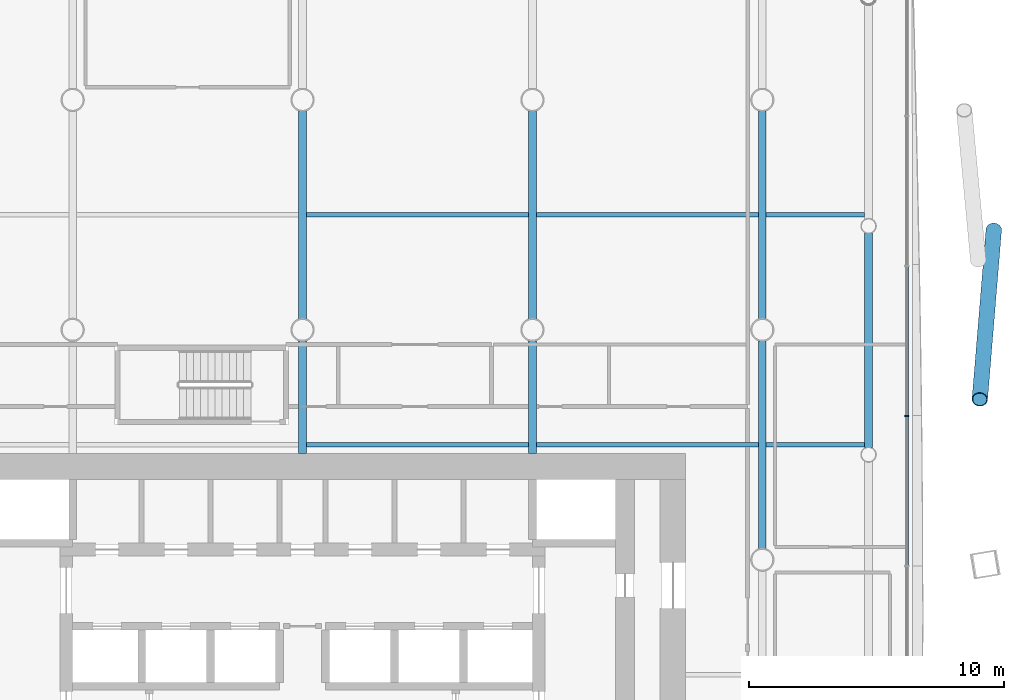
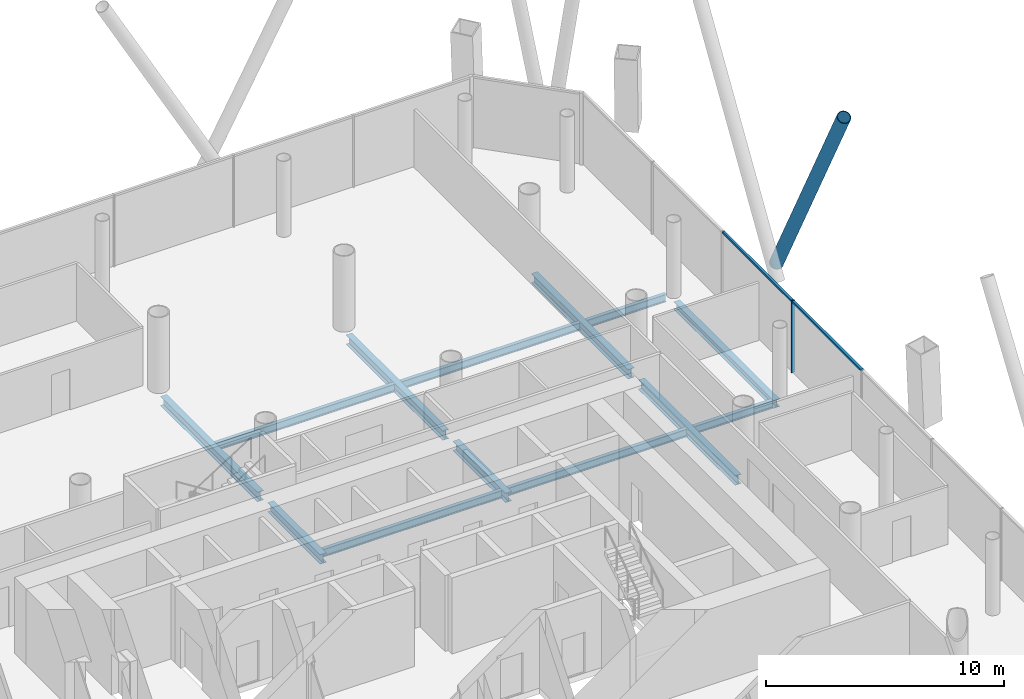
# One storey, part 13 of 25: 13 beams, 4 members, 1 element without a shape of its own.
"""IFC4 building model written with IfcOpenShell, lengths in metres."""

from ifc_helpers import new_model, si_unit, direction, frame, origin, origin_2d, place, context, subcontext, project, spatial, rectangle, hollow_circle, i_section, extrude, material, material_profile, profile_set, type_object, element, aggregate, save


model = new_model("IFC4")

# Units and contexts
model_context = context("Model", 3, precision=1e-05, world=origin(), true_north=direction((0.0, 1.0)))
body_context = subcontext(model_context, "Body", "Model", "MODEL_VIEW")
ifc_project = project(units=[si_unit("LENGTHUNIT", "METRE"), si_unit("AREAUNIT", "SQUARE_METRE"), si_unit("VOLUMEUNIT", "CUBIC_METRE"), si_unit("PLANEANGLEUNIT", "RADIAN"), si_unit("MASSUNIT", "GRAM", prefix="KILO")], contexts=[model_context])

# Site, building, storey
site_placement = place(None, origin())
site = spatial("IfcSite", under=ifc_project, at=site_placement, CompositionType="ELEMENT")
building_placement = place(site_placement, origin())
building = spatial("IfcBuilding", under=site, at=building_placement, Name="Tskaro Facet Tower", CompositionType="ELEMENT")
storey_placement = place(building_placement, frame((0.0, 0.0, 34.199951171875)))
storey = spatial("IfcBuildingStorey", under=building, at=storey_placement, Name="L07", CompositionType="ELEMENT", Elevation=34.199951171875)

# Member
ifc_material_1 = material(Name="Steel S355J2H", Category="steel")
ifc_material_profile_1 = material_profile(ifc_material_1, hollow_circle(Radius=0.304931640625, WallThickness=0.030029296875, at=origin_2d()), Name="CHS 610x30")
ifc_profile_set_1 = profile_set([ifc_material_profile_1], Name="Steel S355J2H")
member_type_1 = type_object("IfcMemberType", Name="CHS 610x30 brace", PredefinedType="BRACE", material=ifc_profile_set_1)
member_1_placement = place(storey_placement, frame((27.0595703125, 12.91162109375, 0.0), z_axis=(-0.040697983048, -0.49287361289, 0.869148592528), x_axis=(0.996608196398, -0.082292787486, 0.0)))
element("IfcMember", 1, at=member_1_placement, inside=storey, type_object=member_type_1, Name="CHS 610x30 XB05B/1", PredefinedType="BRACE", context=body_context, shape_type="SweptSolid", body=[
    extrude(hollow_circle(Radius=0.304931640625, WallThickness=0.030029296875, at=origin_2d()), origin(), (0.0, 0.0, 1.0), 13.46142578125),
])

# Curtain wall, members
ifc_material_2 = material(Name="Bronze anodised aluminium 6063-T6", Category="aluminium")
curtain_wall_type = type_object("IfcCurtainWallType", Name="Bronze office curtain wall (FW1)", PredefinedType="NOTDEFINED", material=ifc_material_2)
curtain_wall_placement = place(storey_placement, origin())
curtain_wall = element("IfcCurtainWall", 2, at=curtain_wall_placement, inside=storey, type_object=curtain_wall_type, Name="FW1 east facet L07", PredefinedType="NOTDEFINED")
ifc_material_profile_2 = material_profile(ifc_material_2, rectangle(XDim=0.06005859375, YDim=0.159912109375, at=origin_2d()), Name="Mullion 60x160")
ifc_profile_set_2 = profile_set([ifc_material_profile_2], Name="Bronze anodised aluminium 6063-T6")
member_type_2 = type_object("IfcMemberType", Name="FW1 bronze mullion 60x160", PredefinedType="MULLION", material=ifc_profile_set_2)
member_2_placement = place(storey_placement, frame((23.654052734375, 5.62939453125, 0.0), z_axis=(0.0, 0.0, 1.0), x_axis=(0.0, 1.0, 0.0)))
member_2 = element("IfcMember", 3, at=member_2_placement, type_object=member_type_2, Name="FW1 east mullion 5", PredefinedType="MULLION", context=body_context, shape_type="SweptSolid", body=[
    extrude(rectangle(XDim=0.06005859375, YDim=0.159912109375, at=origin_2d()), origin(), (0.0, 0.0, 1.0), 3.699951171875),
])
ifc_material_profile_3 = material_profile(ifc_material_2, rectangle(XDim=0.1201171875, YDim=0.10009765625, at=origin_2d()), Name="Transom 120x100")
ifc_profile_set_3 = profile_set([ifc_material_profile_3], Name="Bronze anodised aluminium 6063-T6")
member_type_3 = type_object("IfcMemberType", Name="FW1 bronze transom 120x100", PredefinedType="USERDEFINED", material=ifc_profile_set_3)
member_3_placement = place(storey_placement, frame((23.654052734375, -0.208984375, 3.650146484375), z_axis=(0.0, 1.0, 0.0), x_axis=(-1.0, 0.0, 0.0)))
member_3 = element("IfcMember", 4, at=member_3_placement, type_object=member_type_3, Name="FW1 east transom 5.1", ObjectType="TRANSOM", PredefinedType="USERDEFINED", context=body_context, shape_type="SweptSolid", body=[
    extrude(rectangle(XDim=0.1201171875, YDim=0.10009765625, at=origin_2d()), origin(), (0.0, 0.0, 1.0), 5.80859375),
])
member_4_placement = place(storey_placement, frame((23.654052734375, 5.659423828125, 3.650146484375), z_axis=(0.0, 1.0, 0.0), x_axis=(-1.0, 0.0, 0.0)))
member_4 = element("IfcMember", 5, at=member_4_placement, type_object=member_type_3, Name="FW1 east transom 6.1", ObjectType="TRANSOM", PredefinedType="USERDEFINED", context=body_context, shape_type="SweptSolid", body=[
    extrude(rectangle(XDim=0.1201171875, YDim=0.10009765625, at=origin_2d()), origin(), (0.0, 0.0, 1.0), 5.80859375),
])
aggregate(curtain_wall, [member_2, member_3, member_4])

# Beams
ifc_material_3 = material(Name="Steel S355J2", Category="steel")
ifc_material_profile_4 = material_profile(ifc_material_3, i_section(OverallWidth=0.300048828125, OverallDepth=0.39990234375, WebThickness=0.013427734375, FlangeThickness=0.02392578125, FilletRadius=0.027099609375, at=origin_2d()), Name="HE 400 B")
ifc_profile_set_4 = profile_set([ifc_material_profile_4], Name="Steel S355J2")
beam_type_1 = type_object("IfcBeamType", Name="HE 400 B ring beam", PredefinedType="BEAM", material=ifc_profile_set_4)
beam_1_placement = place(storey_placement, frame((22.156982421875, 4.39111328125, -0.33984375), z_axis=(0.0, 1.0, 0.0), x_axis=(-1.0, 0.0, 0.0)))
element("IfcBeam", 6, at=beam_1_placement, inside=storey, type_object=beam_type_1, Name="HE 400 B EB11-1", PredefinedType="BEAM", context=body_context, shape_type="SweptSolid", body=[
    extrude(i_section(OverallWidth=0.300048828125, OverallDepth=0.39990234375, WebThickness=0.013427734375, FlangeThickness=0.02392578125, FilletRadius=0.027099609375, at=origin_2d()), origin(), (0.0, 0.0, 1.0), 8.39794921875),
])
ifc_material_profile_5 = material_profile(ifc_material_3, i_section(OverallWidth=0.300048828125, OverallDepth=0.489990234375, WebThickness=0.011962890625, FlangeThickness=0.02294921875, FilletRadius=0.027099609375, at=origin_2d()), Name="HE 500 A")
ifc_profile_set_5 = profile_set([ifc_material_profile_5], Name="Steel S355J2")
beam_type_2 = type_object("IfcBeamType", Name="HE 500 A girder", PredefinedType="BEAM", material=ifc_profile_set_5)
beam_2_placement = place(storey_placement, frame((0.0, 4.14990234375, -0.385009765625), z_axis=(0.0, 1.0, 0.0), x_axis=(-1.0, 0.0, 0.0)))
element("IfcBeam", 7, at=beam_2_placement, inside=storey, type_object=beam_type_2, Name="HE 500 A GB4-3-1", PredefinedType="BEAM", context=body_context, shape_type="SweptSolid", body=[
    extrude(i_section(OverallWidth=0.300048828125, OverallDepth=0.489990234375, WebThickness=0.011962890625, FlangeThickness=0.02294921875, FilletRadius=0.027099609375, at=origin_2d()), origin(), (0.0, 0.0, 1.0), 4.4228515625),
])
beam_3_placement = place(storey_placement, frame((0.0, 9.42724609375, -0.385009765625), z_axis=(0.0, 1.0, 0.0), x_axis=(-1.0, 0.0, 0.0)))
element("IfcBeam", 8, at=beam_3_placement, inside=storey, type_object=beam_type_2, Name="HE 500 A GB4-4-1", PredefinedType="BEAM", context=body_context, shape_type="SweptSolid", body=[
    extrude(i_section(OverallWidth=0.300048828125, OverallDepth=0.489990234375, WebThickness=0.011962890625, FlangeThickness=0.02294921875, FilletRadius=0.027099609375, at=origin_2d()), origin(), (0.0, 0.0, 1.0), 8.1455078125),
])
beam_4_placement = place(storey_placement, frame((9.0, 4.14990234375, -0.385009765625), z_axis=(0.0, 1.0, 0.0), x_axis=(-1.0, 0.0, 0.0)))
element("IfcBeam", 9, at=beam_4_placement, inside=storey, type_object=beam_type_2, Name="HE 500 A GB5-3-1", PredefinedType="BEAM", context=body_context, shape_type="SweptSolid", body=[
    extrude(i_section(OverallWidth=0.300048828125, OverallDepth=0.489990234375, WebThickness=0.011962890625, FlangeThickness=0.02294921875, FilletRadius=0.027099609375, at=origin_2d()), origin(), (0.0, 0.0, 1.0), 4.4228515625),
])
for number, where, z_axis, x_axis, name in (
    (10, (9.0, 9.42724609375, -0.385009765625), (0.0, 1.0, 0.0), (-1.0, 0.0, 0.0), "HE 500 A GB5-4-1"),
    (11, (18.0, 0.42724609375, -0.385009765625), (0.0, 1.0, 0.0), (-1.0, 0.0, 0.0), "HE 500 A GB6-4-1"),
    (12, (18.0, 9.42724609375, -0.385009765625), (0.0, 1.0, 0.0), (-1.0, 0.0, 0.0), "HE 500 A GB6-5-1"),
):
    element("IfcBeam", number, at=place(storey_placement, frame(where, z_axis=z_axis, x_axis=x_axis)), inside=storey, type_object=beam_type_2, Name=name, PredefinedType="BEAM", context=body_context, shape_type="SweptSolid", body=[
        extrude(i_section(OverallWidth=0.300048828125, OverallDepth=0.489990234375, WebThickness=0.011962890625, FlangeThickness=0.02294921875, FilletRadius=0.027099609375, at=origin_2d()), origin(), (0.0, 0.0, 1.0), 8.1455078125),
    ])
ifc_material_profile_6 = material_profile(ifc_material_3, i_section(OverallWidth=0.179931640625, OverallDepth=0.39990234375, WebThickness=0.008544921875, FlangeThickness=0.013427734375, FilletRadius=0.02099609375, at=origin_2d()), Name="IPE 400")
ifc_profile_set_6 = profile_set([ifc_material_profile_6], Name="Steel S355J2")
beam_type_3 = type_object("IfcBeamType", Name="IPE 400 secondary beam", PredefinedType="BEAM", material=ifc_profile_set_6)
for number, where, z_axis, x_axis, name in (
    (13, (0.14990234375, 4.5, -0.33984375), (1.0, 0.0, 0.0), (0.0, 1.0, 0.0), "IPE 400 SB4a-4-1"),
    (14, (9.14990234375, 4.5, -0.33984375), (1.0, 0.0, 0.0), (0.0, 1.0, 0.0), "IPE 400 SB4a-5-1"),
):
    element("IfcBeam", number, at=place(storey_placement, frame(where, z_axis=z_axis, x_axis=x_axis)), inside=storey, type_object=beam_type_3, Name=name, PredefinedType="BEAM", context=body_context, shape_type="SweptSolid", body=[
        extrude(i_section(OverallWidth=0.179931640625, OverallDepth=0.39990234375, WebThickness=0.008544921875, FlangeThickness=0.013427734375, FilletRadius=0.02099609375, at=origin_2d()), origin(), (0.0, 0.0, 1.0), 8.7001953125),
    ])
beam_5_placement = place(storey_placement, frame((18.14990234375, 4.5, -0.33984375), z_axis=(1.0, 0.0, 0.0), x_axis=(0.0, 1.0, 0.0)))
element("IfcBeam", 15, at=beam_5_placement, inside=storey, type_object=beam_type_3, Name="IPE 400 SB4a-6-1", PredefinedType="BEAM", context=body_context, shape_type="SweptSolid", body=[
    extrude(i_section(OverallWidth=0.179931640625, OverallDepth=0.39990234375, WebThickness=0.008544921875, FlangeThickness=0.013427734375, FilletRadius=0.02099609375, at=origin_2d()), origin(), (0.0, 0.0, 1.0), 3.857177734375),
])
for number, where, z_axis, x_axis, name in (
    (16, (0.14990234375, 13.5, -0.33984375), (1.0, 0.0, 0.0), (0.0, 1.0, 0.0), "IPE 400 SB5a-4-1"),
    (17, (9.14990234375, 13.5, -0.33984375), (1.0, 0.0, 0.0), (0.0, 1.0, 0.0), "IPE 400 SB5a-5-1"),
):
    element("IfcBeam", number, at=place(storey_placement, frame(where, z_axis=z_axis, x_axis=x_axis)), inside=storey, type_object=beam_type_3, Name=name, PredefinedType="BEAM", context=body_context, shape_type="SweptSolid", body=[
        extrude(i_section(OverallWidth=0.179931640625, OverallDepth=0.39990234375, WebThickness=0.008544921875, FlangeThickness=0.013427734375, FilletRadius=0.02099609375, at=origin_2d()), origin(), (0.0, 0.0, 1.0), 8.7001953125),
    ])
beam_6_placement = place(storey_placement, frame((18.14990234375, 13.5, -0.33984375), z_axis=(1.0, 0.0, 0.0), x_axis=(0.0, 1.0, 0.0)))
element("IfcBeam", 18, at=beam_6_placement, inside=storey, type_object=beam_type_3, Name="IPE 400 SB5a-6-1", PredefinedType="BEAM", context=body_context, shape_type="SweptSolid", body=[
    extrude(i_section(OverallWidth=0.179931640625, OverallDepth=0.39990234375, WebThickness=0.008544921875, FlangeThickness=0.013427734375, FilletRadius=0.02099609375, at=origin_2d()), origin(), (0.0, 0.0, 1.0), 3.857177734375),
])

save(model, "model.ifc")
